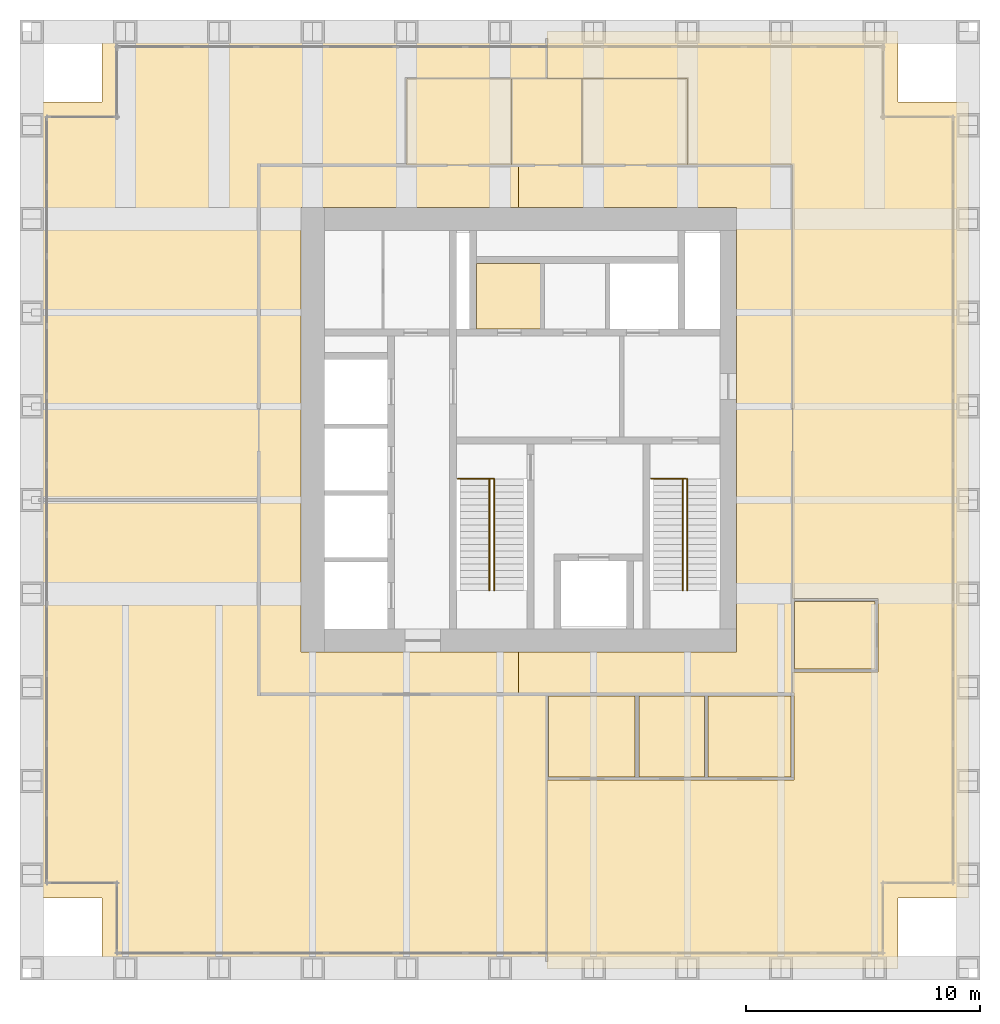
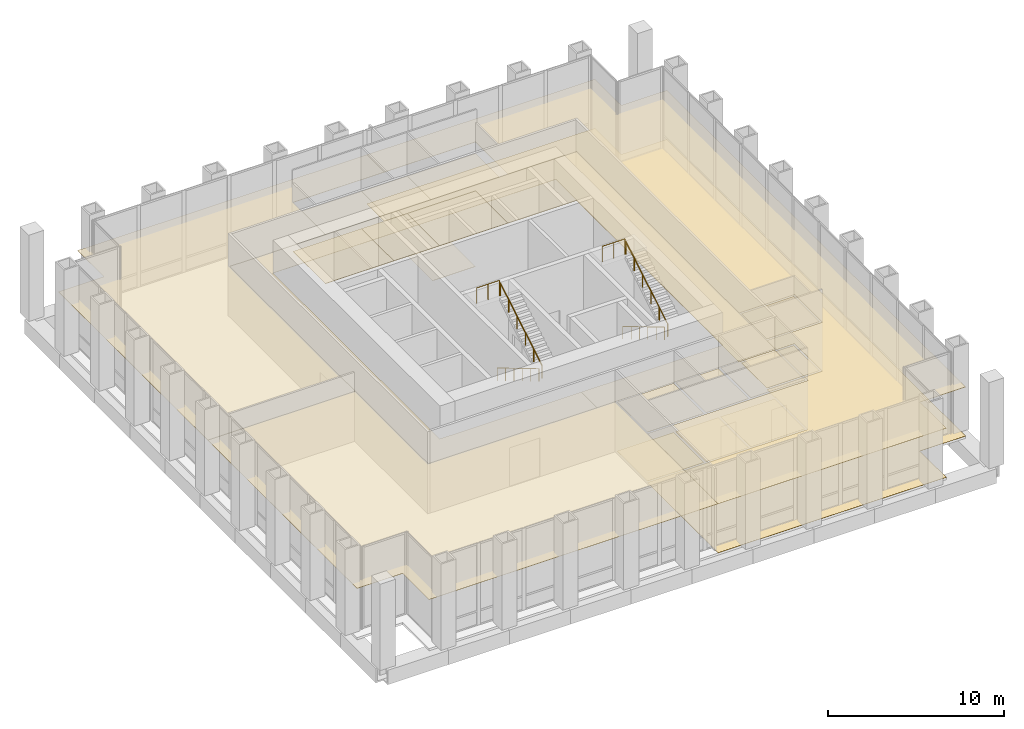
# One storey, part 12 of 12: 21 coverings, 6 railings.
"""IFC4 building model written with IfcOpenShell, lengths in metres."""

from ifc_helpers import new_model, si_unit, direction, frame, origin, origin_2d, place, context, subcontext, project, spatial, polyline, circle, outline, extrude, material, layer, layer_set, type_object, element, save


model = new_model("IFC4")

# Units and contexts
model_context = context("Model", 3, precision=1e-05, world=origin(), true_north=direction((0.0, 1.0)))
body_context = subcontext(model_context, "Body", "Model", "MODEL_VIEW")
ifc_project = project(units=[si_unit("LENGTHUNIT", "METRE"), si_unit("AREAUNIT", "SQUARE_METRE"), si_unit("VOLUMEUNIT", "CUBIC_METRE"), si_unit("PLANEANGLEUNIT", "RADIAN"), si_unit("MASSUNIT", "GRAM", prefix="KILO")], contexts=[model_context])

# Site, building, storey
site_placement = place(None, origin())
site = spatial("IfcSite", under=ifc_project, at=site_placement, CompositionType="ELEMENT")
building_placement = place(site_placement, origin())
building = spatial("IfcBuilding", under=site, at=building_placement, Name="Rimbunsela Tower", CompositionType="ELEMENT")
storey_placement = place(building_placement, frame((0.0, 0.0, 298.199951171875)))
storey = spatial("IfcBuildingStorey", under=building, at=storey_placement, Name="L72", CompositionType="ELEMENT", Elevation=298.199951171875)

# Coverings
ifc_material_1 = material(Name="Nylon carpet tile", Category="textile")
ifc_layer_1 = layer(ifc_material_1, 0.010009765625)
ifc_layer_set_1 = layer_set([ifc_layer_1], Name="Carpet tile 10")
covering_type_1 = type_object("IfcCoveringType", Name="Carpet tile 10", PredefinedType="FLOORING", material=ifc_layer_set_1)
covering_1_placement = place(storey_placement, origin())
element("IfcCovering", 1, at=covering_1_placement, inside=storey, type_object=covering_type_1, Name="Floor finish Observatory visitor centre", PredefinedType="FLOORING", context=body_context, shape_type="SweptSolid", body=[
    extrude(outline(polyline([(28.0009765625, 12.050048828125), (31.801025390625, 12.050048828125), (31.90087890625, 12.050048828125), (34.7509765625, 12.050048828125), (34.85107421875, 12.050048828125), (38.5, 12.050048828125), (38.550048828125, 12.050048828125), (38.550048828125, 15.75), (38.5, 15.75), (38.5, 16.64990234375), (42.14990234375, 16.64990234375), (42.14990234375, 19.800048828125), (38.5, 19.800048828125), (38.5, 38.300048828125), (34.0, 38.300048828125), (34.0, 42.0), (28.0009765625, 42.0), (28.0009765625, 44.0), (38.5, 44.0), (43.0, 44.0), (43.0, 41.0), (46.0, 41.0), (46.0, 7.0), (43.0, 7.0), (43.0, 4.0), (38.5, 4.0), (28.0009765625, 4.0), (28.0009765625, 12.050048828125)])), origin(), (0.0, 0.0, 1.0), 0.010009765625),
])
covering_2_placement = place(storey_placement, origin())
element("IfcCovering", 2, at=covering_2_placement, inside=storey, type_object=covering_type_1, Name="Floor finish Ticket office", PredefinedType="FLOORING", context=body_context, shape_type="SweptSolid", body=[
    extrude(outline(polyline([(31.77587890625, 12.175048828125), (31.77587890625, 15.625), (28.075927734375, 15.625), (28.075927734375, 12.175048828125), (31.77587890625, 12.175048828125)])), origin(), (0.0, 0.0, 1.0), 0.010009765625),
])
covering_3_placement = place(storey_placement, origin())
element("IfcCovering", 3, at=covering_3_placement, inside=storey, type_object=covering_type_1, Name="Floor finish First aid room", PredefinedType="FLOORING", context=body_context, shape_type="SweptSolid", body=[
    extrude(outline(polyline([(34.72607421875, 12.175048828125), (34.72607421875, 15.625), (31.926025390625, 15.625), (31.926025390625, 12.175048828125), (34.72607421875, 12.175048828125)])), origin(), (0.0, 0.0, 1.0), 0.010009765625),
])
covering_4_placement = place(storey_placement, origin())
element("IfcCovering", 4, at=covering_4_placement, inside=storey, type_object=covering_type_1, Name="Floor finish Observatory office", PredefinedType="FLOORING", context=body_context, shape_type="SweptSolid", body=[
    extrude(outline(polyline([(38.425048828125, 12.175048828125), (38.425048828125, 15.625), (34.8759765625, 15.625), (34.8759765625, 12.175048828125), (38.425048828125, 12.175048828125)])), origin(), (0.0, 0.0, 1.0), 0.010009765625),
])
covering_5_placement = place(storey_placement, origin())
element("IfcCovering", 5, at=covering_5_placement, inside=storey, type_object=covering_type_1, Name="Floor finish Observatory office", PredefinedType="FLOORING", context=body_context, shape_type="SweptSolid", body=[
    extrude(outline(polyline([(42.02490234375, 16.77490234375), (42.02490234375, 19.675048828125), (38.574951171875, 19.675048828125), (38.574951171875, 16.77490234375), (42.02490234375, 16.77490234375)])), origin(), (0.0, 0.0, 1.0), 0.010009765625),
])
ifc_material_2 = material(Name="Mineral fibre ceiling tile", Category="gypsum")
ifc_layer_2 = layer(ifc_material_2, 0.02001953125)
ifc_layer_set_2 = layer_set([ifc_layer_2], Name="Ceiling 600 grid")
covering_type_2 = type_object("IfcCoveringType", Name="Ceiling 600 grid", PredefinedType="CEILING", material=ifc_layer_set_2)
covering_6_placement = place(storey_placement, frame((0.0, 0.0, 3.400146484375)))
element("IfcCovering", 6, at=covering_6_placement, inside=storey, type_object=covering_type_2, Name="Ceiling IT room", PredefinedType="CEILING", context=body_context, shape_type="SweptSolid", body=[
    extrude(outline(polyline([(27.800048828125, 31.300048828125), (27.800048828125, 34.10009765625), (25.0, 34.10009765625), (25.0, 31.300048828125), (27.800048828125, 31.300048828125)])), origin(), (0.0, 0.0, 1.0), 0.02001953125),
])
covering_7_placement = place(storey_placement, frame((0.0, 0.0, 3.400146484375)))
element("IfcCovering", 7, at=covering_7_placement, inside=storey, type_object=covering_type_2, Name="Ceiling Ring corridor", PredefinedType="CEILING", context=body_context, shape_type="SweptSolid", body=[
    extrude(outline(polyline([(15.699951171875, 38.300048828125), (26.800048828125, 38.300048828125), (26.800048828125, 36.5), (17.5, 36.5), (17.5, 17.5), (26.800048828125, 17.5), (26.800048828125, 15.699951171875), (15.699951171875, 15.699951171875), (15.699951171875, 38.300048828125)])), origin(), (0.0, 0.0, 1.0), 0.02001953125),
])
covering_8_placement = place(storey_placement, frame((0.0, 0.0, 3.400146484375)))
element("IfcCovering", 8, at=covering_8_placement, inside=storey, type_object=covering_type_2, Name="Ceiling Ring corridor", PredefinedType="CEILING", context=body_context, shape_type="SweptSolid", body=[
    extrude(outline(polyline([(38.5, 38.300048828125), (38.5, 15.699951171875), (26.800048828125, 15.699951171875), (26.800048828125, 17.5), (36.10009765625, 17.5), (36.10009765625, 36.5), (26.800048828125, 36.5), (26.800048828125, 38.300048828125), (38.5, 38.300048828125)])), origin(), (0.0, 0.0, 1.0), 0.02001953125),
])
covering_9_placement = place(storey_placement, frame((0.0, 0.0, 3.400146484375)))
element("IfcCovering", 9, at=covering_9_placement, inside=storey, type_object=covering_type_2, Name="Ceiling Observatory visitor centre", PredefinedType="CEILING", context=body_context, shape_type="SweptSolid", body=[
    extrude(outline(polyline([(28.0009765625, 12.050048828125), (31.801025390625, 12.050048828125), (31.90087890625, 12.050048828125), (34.7509765625, 12.050048828125), (34.85107421875, 12.050048828125), (38.5, 12.050048828125), (38.550048828125, 12.050048828125), (38.550048828125, 15.75), (38.5, 15.75), (38.5, 16.64990234375), (42.14990234375, 16.64990234375), (42.14990234375, 19.800048828125), (38.5, 19.800048828125), (38.5, 38.300048828125), (34.0, 38.300048828125), (34.0, 42.0), (28.0009765625, 42.0), (28.0009765625, 44.0), (38.5, 44.0), (43.0, 44.0), (43.0, 41.0), (46.0, 41.0), (46.0, 7.0), (43.0, 7.0), (43.0, 4.0), (38.5, 4.0), (28.0009765625, 4.0), (28.0009765625, 12.050048828125)])), origin(), (0.0, 0.0, 1.0), 0.02001953125),
])
covering_10_placement = place(storey_placement, frame((0.0, 0.0, 3.400146484375)))
element("IfcCovering", 10, at=covering_10_placement, inside=storey, type_object=covering_type_2, Name="Ceiling Ticket office", PredefinedType="CEILING", context=body_context, shape_type="SweptSolid", body=[
    extrude(outline(polyline([(31.77587890625, 12.175048828125), (31.77587890625, 15.625), (28.075927734375, 15.625), (28.075927734375, 12.175048828125), (31.77587890625, 12.175048828125)])), origin(), (0.0, 0.0, 1.0), 0.02001953125),
])
covering_11_placement = place(storey_placement, frame((0.0, 0.0, 3.400146484375)))
element("IfcCovering", 11, at=covering_11_placement, inside=storey, type_object=covering_type_2, Name="Ceiling First aid room", PredefinedType="CEILING", context=body_context, shape_type="SweptSolid", body=[
    extrude(outline(polyline([(34.72607421875, 12.175048828125), (34.72607421875, 15.625), (31.926025390625, 15.625), (31.926025390625, 12.175048828125), (34.72607421875, 12.175048828125)])), origin(), (0.0, 0.0, 1.0), 0.02001953125),
])
covering_12_placement = place(storey_placement, frame((0.0, 0.0, 3.400146484375)))
element("IfcCovering", 12, at=covering_12_placement, inside=storey, type_object=covering_type_2, Name="Ceiling Observatory office", PredefinedType="CEILING", context=body_context, shape_type="SweptSolid", body=[
    extrude(outline(polyline([(38.425048828125, 12.175048828125), (38.425048828125, 15.625), (34.8759765625, 15.625), (34.8759765625, 12.175048828125), (38.425048828125, 12.175048828125)])), origin(), (0.0, 0.0, 1.0), 0.02001953125),
])
covering_13_placement = place(storey_placement, frame((0.0, 0.0, 3.400146484375)))
element("IfcCovering", 13, at=covering_13_placement, inside=storey, type_object=covering_type_2, Name="Ceiling Observatory office", PredefinedType="CEILING", context=body_context, shape_type="SweptSolid", body=[
    extrude(outline(polyline([(42.02490234375, 16.77490234375), (42.02490234375, 19.675048828125), (38.574951171875, 19.675048828125), (38.574951171875, 16.77490234375), (42.02490234375, 16.77490234375)])), origin(), (0.0, 0.0, 1.0), 0.02001953125),
])
covering_14_placement = place(storey_placement, frame((0.0, 0.0, 3.400146484375)))
element("IfcCovering", 14, at=covering_14_placement, inside=storey, type_object=covering_type_2, Name="Ceiling Observation deck", PredefinedType="CEILING", context=body_context, shape_type="SweptSolid", body=[
    extrude(outline(polyline([(9.0, 41.0), (9.0, 44.0), (28.0, 44.0), (28.0, 42.0), (22.0, 42.0), (22.0, 38.300048828125), (15.699951171875, 38.300048828125), (15.699951171875, 24.0), (6.0, 24.0), (6.0, 41.0), (9.0, 41.0)])), origin(), (0.0, 0.0, 1.0), 0.02001953125),
])
covering_15_placement = place(storey_placement, frame((0.0, 0.0, 3.400146484375)))
element("IfcCovering", 15, at=covering_15_placement, inside=storey, type_object=covering_type_2, Name="Ceiling Observation gallery", PredefinedType="CEILING", context=body_context, shape_type="SweptSolid", body=[
    extrude(outline(polyline([(15.699951171875, 15.699951171875), (28.0, 15.699951171875), (28.0, 4.0), (9.0, 4.0), (9.0, 7.0), (6.0, 7.0), (6.0, 24.0), (15.699951171875, 24.0), (15.699951171875, 15.699951171875)])), origin(), (0.0, 0.0, 1.0), 0.02001953125),
])
ifc_material_3 = material(Name="Moisture-resistant plasterboard ceiling", Category="gypsum")
ifc_layer_3 = layer(ifc_material_3, 0.012451171875)
ifc_layer_set_3 = layer_set([ifc_layer_3], Name="Ceiling moisture-resistant board")
covering_type_3 = type_object("IfcCoveringType", Name="Ceiling moisture-resistant board", PredefinedType="CEILING", material=ifc_layer_set_3)
covering_16_placement = place(storey_placement, frame((0.0, 0.0, 2.60009765625)))
element("IfcCovering", 16, at=covering_16_placement, inside=storey, type_object=covering_type_3, Name="Ceiling Female WC", PredefinedType="CEILING", context=body_context, shape_type="SweptSolid", body=[
    extrude(outline(polyline([(26.5, 38.300048828125), (26.5, 42.0), (22.0, 42.0), (22.0, 38.300048828125), (26.5, 38.300048828125)])), origin(), (0.0, 0.0, 1.0), 0.02001953125),
])
covering_17_placement = place(storey_placement, frame((0.0, 0.0, 2.60009765625)))
element("IfcCovering", 17, at=covering_17_placement, inside=storey, type_object=covering_type_3, Name="Ceiling Accessible WC", PredefinedType="CEILING", context=body_context, shape_type="SweptSolid", body=[
    extrude(outline(polyline([(29.5, 38.300048828125), (29.5, 42.0), (26.5, 42.0), (26.5, 38.300048828125), (29.5, 38.300048828125)])), origin(), (0.0, 0.0, 1.0), 0.02001953125),
])
covering_18_placement = place(storey_placement, frame((0.0, 0.0, 2.60009765625)))
element("IfcCovering", 18, at=covering_18_placement, inside=storey, type_object=covering_type_3, Name="Ceiling Male WC", PredefinedType="CEILING", context=body_context, shape_type="SweptSolid", body=[
    extrude(outline(polyline([(34.0, 38.300048828125), (34.0, 42.0), (29.5, 42.0), (29.5, 38.300048828125), (34.0, 38.300048828125)])), origin(), (0.0, 0.0, 1.0), 0.02001953125),
])
ifc_material_4 = material(Name="Porcelain floor tile in adhesive bed", Category="ceramic")
ifc_layer_4 = layer(ifc_material_4, 0.02001953125)
ifc_layer_set_4 = layer_set([ifc_layer_4], Name="Porcelain tile 20")
covering_type_4 = type_object("IfcCoveringType", Name="Porcelain tile 20", PredefinedType="FLOORING", material=ifc_layer_set_4)
covering_19_placement = place(storey_placement, origin())
element("IfcCovering", 19, at=covering_19_placement, inside=storey, type_object=covering_type_4, Name="Floor finish Female WC", PredefinedType="FLOORING", context=body_context, shape_type="SweptSolid", body=[
    extrude(outline(polyline([(26.5, 38.300048828125), (26.5, 42.0), (22.0, 42.0), (22.0, 38.300048828125), (26.5, 38.300048828125)])), origin(), (0.0, 0.0, 1.0), 0.02001953125),
])
covering_20_placement = place(storey_placement, origin())
element("IfcCovering", 20, at=covering_20_placement, inside=storey, type_object=covering_type_4, Name="Floor finish Accessible WC", PredefinedType="FLOORING", context=body_context, shape_type="SweptSolid", body=[
    extrude(outline(polyline([(29.5, 38.300048828125), (29.5, 42.0), (26.5, 42.0), (26.5, 38.300048828125), (29.5, 38.300048828125)])), origin(), (0.0, 0.0, 1.0), 0.02001953125),
])
covering_21_placement = place(storey_placement, origin())
element("IfcCovering", 21, at=covering_21_placement, inside=storey, type_object=covering_type_4, Name="Floor finish Male WC", PredefinedType="FLOORING", context=body_context, shape_type="SweptSolid", body=[
    extrude(outline(polyline([(34.0, 38.300048828125), (34.0, 42.0), (29.5, 42.0), (29.5, 38.300048828125), (34.0, 38.300048828125)])), origin(), (0.0, 0.0, 1.0), 0.02001953125),
])

# Railings
ifc_material_5 = material(Name="Stainless steel tube and infill bars", Category="steel")
railing_type_1 = type_object("IfcRailingType", Name="Stair guard 1100", PredefinedType="GUARDRAIL", material=ifc_material_5)
for number, where, name in (
    (22, (24.199951171875, 24.89990234375, 6.0), "Stair guard ST-A top landing"),
    (23, (32.449951171875, 24.89990234375, 6.0), "Stair guard ST-B top landing"),
):
    element("IfcRailing", number, at=place(storey_placement, frame(where)), inside=storey, type_object=railing_type_1, Name=name, PredefinedType="GUARDRAIL", context=body_context, shape_type="SweptSolid", body=[
        extrude(circle(Radius=0.02392578125, at=origin_2d()), frame((0.0, 0.0, 1.076171875), z_axis=(1.0, 0.0, 0.0), x_axis=(0.0, 1.0, 0.0)), (0.0, 0.0, 1.0), 1.5),
        extrude(circle(Radius=0.02099609375, at=origin_2d()), origin(), (0.0, 0.0, 1.0), 1.052001953125),
        extrude(circle(Radius=0.02099609375, at=origin_2d()), frame((0.75, 0.0, 0.0)), (0.0, 0.0, 1.0), 1.052001953125),
        extrude(circle(Radius=0.02099609375, at=origin_2d()), frame((1.5, 0.0, 0.0)), (0.0, 0.0, 1.0), 1.052001953125),
    ])
ifc_material_6 = material(Name="Stainless steel tube", Category="steel")
railing_type_2 = type_object("IfcRailingType", Name="Stair handrail 900", PredefinedType="HANDRAIL", material=ifc_material_6)
railing_1_placement = place(storey_placement, frame((25.550048828125, 24.89990234375, 0.166748046875)))
element("IfcRailing", 24, at=railing_1_placement, inside=storey, type_object=railing_type_2, Name="Handrail ST-A flight 1", PredefinedType="HANDRAIL", context=body_context, shape_type="SweptSolid", body=[
    extrude(circle(Radius=0.02392578125, at=origin_2d()), frame((0.0, 0.0, 0.8759765625), z_axis=(0.0, -0.859299802514, 0.511472237174), x_axis=(1.0, 0.0, 0.0)), (0.0, 0.0, 1.0), 5.539306640625),
    extrude(circle(Radius=0.02099609375, at=origin_2d()), origin(), (0.0, 0.0, 1.0), 0.851806640625),
    extrude(circle(Radius=0.02099609375, at=origin_2d()), frame((0.0, -0.951904296875, 0.566650390625)), (0.0, 0.0, 1.0), 0.851806640625),
    extrude(circle(Radius=0.02099609375, at=origin_2d()), frame((0.0, -1.904052734375, 1.13330078125)), (0.0, 0.0, 1.0), 0.851806640625),
    extrude(circle(Radius=0.02099609375, at=origin_2d()), frame((0.0, -2.85595703125, 1.699951171875)), (0.0, 0.0, 1.0), 0.851806640625),
    extrude(circle(Radius=0.02099609375, at=origin_2d()), frame((0.0, -3.80810546875, 2.2666015625)), (0.0, 0.0, 1.0), 0.851806640625),
    extrude(circle(Radius=0.02099609375, at=origin_2d()), frame((0.0, -4.760009765625, 2.833251953125)), (0.0, 0.0, 1.0), 0.851806640625),
])
railing_2_placement = place(storey_placement, frame((25.75, 20.139892578125, 3.166748046875)))
element("IfcRailing", 25, at=railing_2_placement, inside=storey, type_object=railing_type_2, Name="Handrail ST-A flight 2", PredefinedType="HANDRAIL", context=body_context, shape_type="SweptSolid", body=[
    extrude(circle(Radius=0.02392578125, at=origin_2d()), frame((0.0, 0.0, 0.8759765625), z_axis=(0.0, 0.859299802514, 0.511472237174), x_axis=(-1.0, 0.0, 0.0)), (0.0, 0.0, 1.0), 5.539306640625),
    extrude(circle(Radius=0.02099609375, at=origin_2d()), origin(), (0.0, 0.0, 1.0), 0.851806640625),
    extrude(circle(Radius=0.02099609375, at=origin_2d()), frame((0.0, 0.951904296875, 0.566650390625)), (0.0, 0.0, 1.0), 0.851806640625),
    extrude(circle(Radius=0.02099609375, at=origin_2d()), frame((0.0, 1.904052734375, 1.13330078125)), (0.0, 0.0, 1.0), 0.851806640625),
    extrude(circle(Radius=0.02099609375, at=origin_2d()), frame((0.0, 2.85595703125, 1.699951171875)), (0.0, 0.0, 1.0), 0.851806640625),
    extrude(circle(Radius=0.02099609375, at=origin_2d()), frame((0.0, 3.80810546875, 2.2666015625)), (0.0, 0.0, 1.0), 0.851806640625),
    extrude(circle(Radius=0.02099609375, at=origin_2d()), frame((0.0, 4.760009765625, 2.833251953125)), (0.0, 0.0, 1.0), 0.851806640625),
])
railing_3_placement = place(storey_placement, frame((33.800048828125, 24.89990234375, 0.166748046875)))
element("IfcRailing", 26, at=railing_3_placement, inside=storey, type_object=railing_type_2, Name="Handrail ST-B flight 1", PredefinedType="HANDRAIL", context=body_context, shape_type="SweptSolid", body=[
    extrude(circle(Radius=0.02392578125, at=origin_2d()), frame((0.0, 0.0, 0.8759765625), z_axis=(0.0, -0.859299802514, 0.511472237174), x_axis=(1.0, 0.0, 0.0)), (0.0, 0.0, 1.0), 5.539306640625),
    extrude(circle(Radius=0.02099609375, at=origin_2d()), origin(), (0.0, 0.0, 1.0), 0.851806640625),
    extrude(circle(Radius=0.02099609375, at=origin_2d()), frame((0.0, -0.951904296875, 0.566650390625)), (0.0, 0.0, 1.0), 0.851806640625),
    extrude(circle(Radius=0.02099609375, at=origin_2d()), frame((0.0, -1.904052734375, 1.13330078125)), (0.0, 0.0, 1.0), 0.851806640625),
    extrude(circle(Radius=0.02099609375, at=origin_2d()), frame((0.0, -2.85595703125, 1.699951171875)), (0.0, 0.0, 1.0), 0.851806640625),
    extrude(circle(Radius=0.02099609375, at=origin_2d()), frame((0.0, -3.80810546875, 2.2666015625)), (0.0, 0.0, 1.0), 0.851806640625),
    extrude(circle(Radius=0.02099609375, at=origin_2d()), frame((0.0, -4.760009765625, 2.833251953125)), (0.0, 0.0, 1.0), 0.851806640625),
])
railing_4_placement = place(storey_placement, frame((34.0, 20.139892578125, 3.166748046875)))
element("IfcRailing", 27, at=railing_4_placement, inside=storey, type_object=railing_type_2, Name="Handrail ST-B flight 2", PredefinedType="HANDRAIL", context=body_context, shape_type="SweptSolid", body=[
    extrude(circle(Radius=0.02392578125, at=origin_2d()), frame((0.0, 0.0, 0.8759765625), z_axis=(0.0, 0.859299802514, 0.511472237174), x_axis=(-1.0, 0.0, 0.0)), (0.0, 0.0, 1.0), 5.539306640625),
    extrude(circle(Radius=0.02099609375, at=origin_2d()), origin(), (0.0, 0.0, 1.0), 0.851806640625),
    extrude(circle(Radius=0.02099609375, at=origin_2d()), frame((0.0, 0.951904296875, 0.566650390625)), (0.0, 0.0, 1.0), 0.851806640625),
    extrude(circle(Radius=0.02099609375, at=origin_2d()), frame((0.0, 1.904052734375, 1.13330078125)), (0.0, 0.0, 1.0), 0.851806640625),
    extrude(circle(Radius=0.02099609375, at=origin_2d()), frame((0.0, 2.85595703125, 1.699951171875)), (0.0, 0.0, 1.0), 0.851806640625),
    extrude(circle(Radius=0.02099609375, at=origin_2d()), frame((0.0, 3.80810546875, 2.2666015625)), (0.0, 0.0, 1.0), 0.851806640625),
    extrude(circle(Radius=0.02099609375, at=origin_2d()), frame((0.0, 4.760009765625, 2.833251953125)), (0.0, 0.0, 1.0), 0.851806640625),
])

save(model, "model.ifc")
